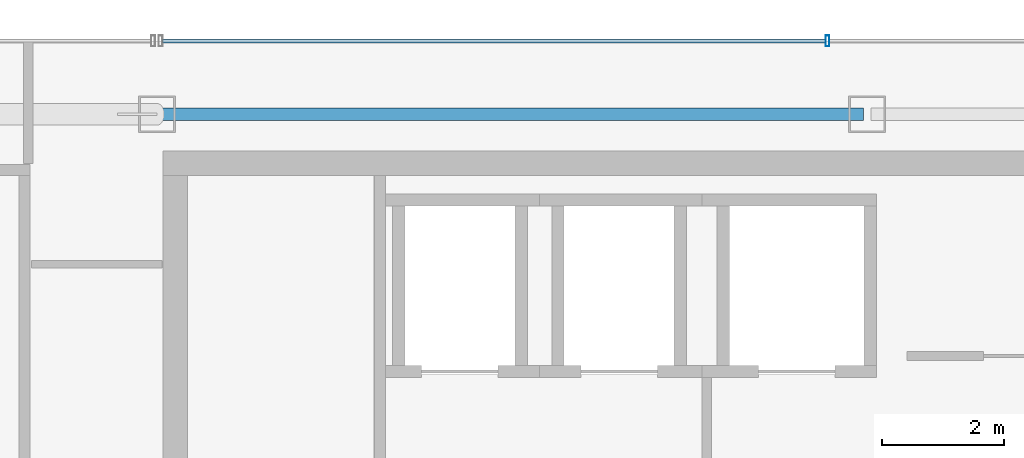
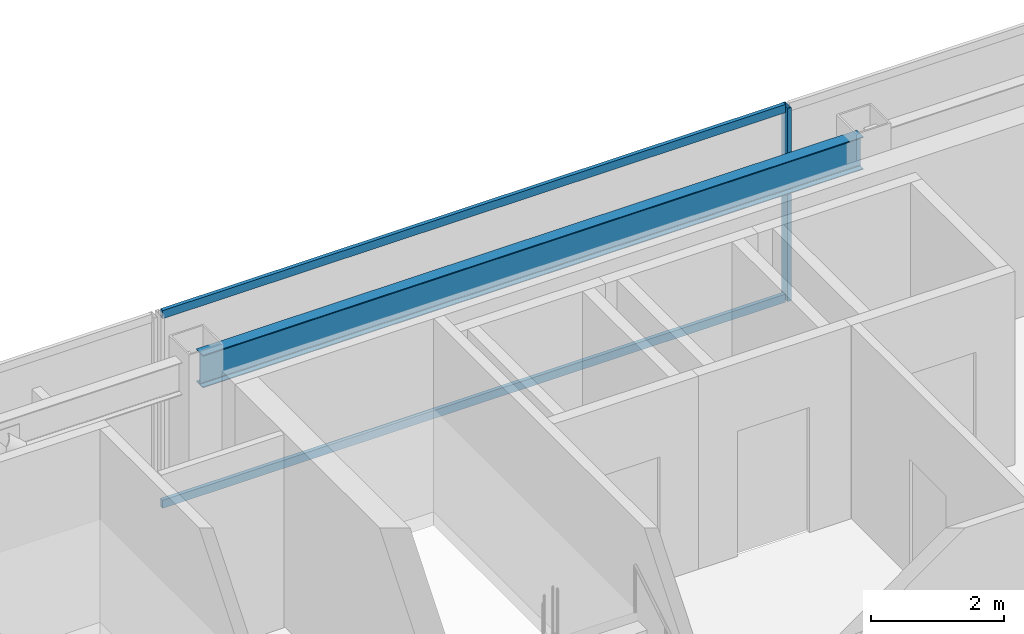
# One storey, part 21 of 32: 3 members, 1 beam, 1 element without a shape of its own.
"""IFC4 building model written with IfcOpenShell, lengths in metres."""

from ifc_helpers import new_model, si_unit, direction, frame, origin, origin_2d, place, context, subcontext, project, spatial, hollow_rectangle, i_section, extrude, material, material_profile, profile_set, type_object, element, aggregate, save


model = new_model("IFC4")

# Units and contexts
model_context = context("Model", 3, precision=1e-05, world=origin(), true_north=direction((0.0, 1.0)))
body_context = subcontext(model_context, "Body", "Model", "MODEL_VIEW")
ifc_project = project(units=[si_unit("LENGTHUNIT", "METRE"), si_unit("AREAUNIT", "SQUARE_METRE"), si_unit("VOLUMEUNIT", "CUBIC_METRE"), si_unit("PLANEANGLEUNIT", "RADIAN"), si_unit("MASSUNIT", "GRAM", prefix="KILO")], contexts=[model_context])

# Site, building, storey
site_placement = place(None, origin())
site = spatial("IfcSite", under=ifc_project, at=site_placement, CompositionType="ELEMENT")
building_placement = place(site_placement, origin())
building = spatial("IfcBuilding", under=site, at=building_placement, Name="Saevonmaru Cultural Tower", CompositionType="ELEMENT")
storey_placement = place(building_placement, frame((0.0, 0.0, 264.800048828125)))
storey = spatial("IfcBuildingStorey", under=building, at=storey_placement, Name="L62", CompositionType="ELEMENT", Elevation=264.800048828125)

# Beam
ifc_material_1 = material(Name="Steel SM355", Category="steel")
ifc_material_profile_1 = material_profile(ifc_material_1, i_section(OverallWidth=0.199951171875, OverallDepth=0.60009765625, WebThickness=0.010986328125, FlangeThickness=0.01708984375, FilletRadius=0.02197265625, at=origin_2d()), Name="H-600x200x11x17")
ifc_profile_set_1 = profile_set([ifc_material_profile_1], Name="Steel SM355")
beam_type = type_object("IfcBeamType", Name="BM-SP-H600", PredefinedType="SPANDREL", material=ifc_profile_set_1)
beam_placement = place(storey_placement, frame((13.659912109375, 54.800048828125, 3.25), z_axis=(1.0, 0.0, 0.0), x_axis=(0.0, 1.0, 0.0)))
element("IfcBeam", 1, at=beam_placement, inside=storey, type_object=beam_type, Name="L62 North Spine Girder 2", PredefinedType="SPANDREL", context=body_context, shape_type="SweptSolid", body=[
    extrude(i_section(OverallWidth=0.199951171875, OverallDepth=0.60009765625, WebThickness=0.010986328125, FlangeThickness=0.01708984375, FilletRadius=0.02197265625, at=origin_2d()), origin(), (0.0, 0.0, 1.0), 11.47998046875),
])

# Curtain wall, members
ifc_material_2 = material(Name="Satin Bronze Anodised Aluminium", Category="aluminium")
curtain_wall_type = type_object("IfcCurtainWallType", Name="CW-TYP-B", PredefinedType="NOTDEFINED", material=ifc_material_2)
curtain_wall_placement = place(storey_placement, origin())
curtain_wall = element("IfcCurtainWall", 2, at=curtain_wall_placement, inside=storey, type_object=curtain_wall_type, Name="L62 North Spine Unitised Curtain Wall E10B", PredefinedType="NOTDEFINED")
ifc_material_profile_2 = material_profile(ifc_material_2, hollow_rectangle(XDim=0.06494140625, YDim=0.179931640625, WallThickness=0.00390625, at=origin_2d()), Name="ALU-MULL-180x65x4")
ifc_profile_set_2 = profile_set([ifc_material_profile_2], Name="Satin Bronze Anodised Aluminium")
member_type_1 = type_object("IfcMemberType", Name="ML-CW-180x65", PredefinedType="MULLION", material=ifc_profile_set_2)
member_1_placement = place(storey_placement, frame((24.55322265625, 56.0, 0.0), z_axis=(0.0, 0.0, 1.0), x_axis=(-1.0, 0.0, 0.0)))
member_1 = element("IfcMember", 3, at=member_1_placement, type_object=member_type_1, Name="CW-TW-L62-E10B mullion 3", PredefinedType="MULLION", context=body_context, shape_type="SweptSolid", body=[
    extrude(hollow_rectangle(XDim=0.06494140625, YDim=0.179931640625, WallThickness=0.00390625, at=origin_2d()), origin(), (0.0, 0.0, 1.0), 3.550048828125),
])
ifc_material_profile_3 = material_profile(ifc_material_2, hollow_rectangle(XDim=0.06494140625, YDim=0.14990234375, WallThickness=0.00390625, at=origin_2d()), Name="ALU-TRAN-150x65x4")
ifc_profile_set_3 = profile_set([ifc_material_profile_3], Name="Satin Bronze Anodised Aluminium")
member_type_2 = type_object("IfcMemberType", Name="TR-CW-150x65", PredefinedType="USERDEFINED", material=ifc_profile_set_3)
member_2_placement = place(storey_placement, frame((24.520751953125, 56.0, 0.032470703125), z_axis=(-1.0, 0.0, 0.0), x_axis=(0.0, -1.0, 0.0)))
member_2 = element("IfcMember", 4, at=member_2_placement, type_object=member_type_2, Name="CW-TW-L62-E10B transom 3.1", ObjectType="TRANSOM", PredefinedType="USERDEFINED", context=body_context, shape_type="SweptSolid", body=[
    extrude(hollow_rectangle(XDim=0.06494140625, YDim=0.14990234375, WallThickness=0.00390625, at=origin_2d()), origin(), (0.0, 0.0, 1.0), 10.828369140625),
])
member_3_placement = place(storey_placement, frame((24.520751953125, 56.0, 3.517333984375), z_axis=(-1.0, 0.0, 0.0), x_axis=(0.0, -1.0, 0.0)))
member_3 = element("IfcMember", 5, at=member_3_placement, type_object=member_type_2, Name="CW-TW-L62-E10B transom 3.2", ObjectType="TRANSOM", PredefinedType="USERDEFINED", context=body_context, shape_type="SweptSolid", body=[
    extrude(hollow_rectangle(XDim=0.06494140625, YDim=0.14990234375, WallThickness=0.00390625, at=origin_2d()), origin(), (0.0, 0.0, 1.0), 10.828369140625),
])
aggregate(curtain_wall, [member_1, member_2, member_3])

save(model, "model.ifc")
